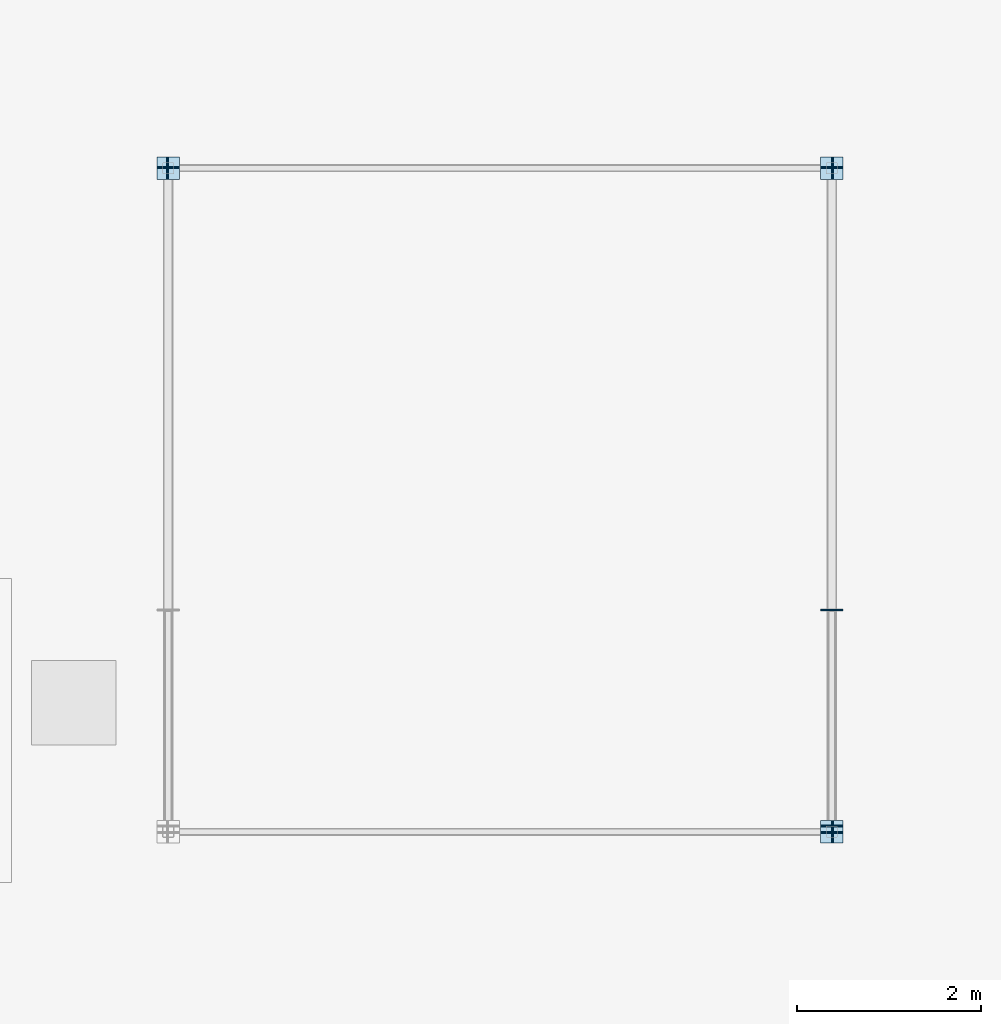
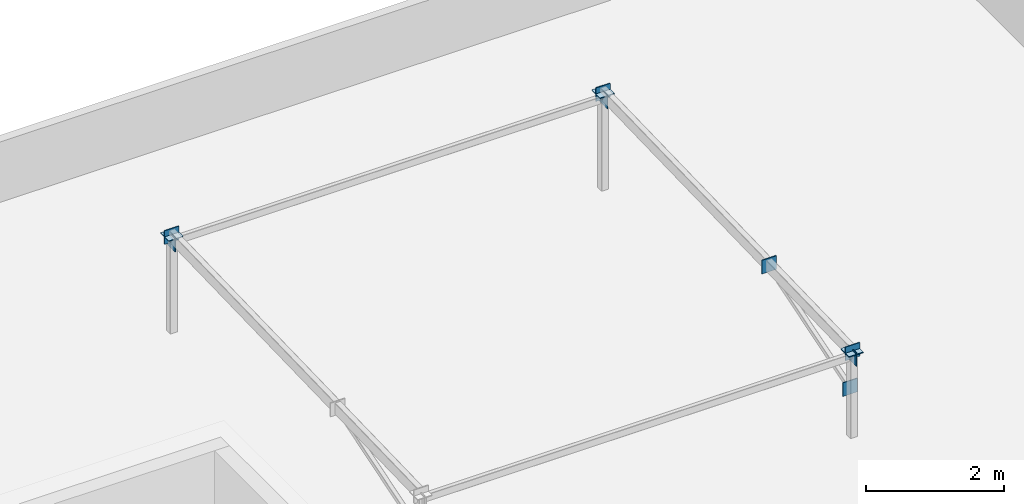
# One storey, part 14 of 31: 11 plates.
"""IFC4 building model written with IfcOpenShell, lengths in metres."""

from ifc_helpers import new_model, si_unit, direction, frame, origin, origin_2d, place, context, subcontext, project, spatial, rectangle, extrude, material, layer, layer_set, type_object, element, save


model = new_model("IFC4")

# Units and contexts
model_context = context("Model", 3, precision=1e-05, world=origin(), true_north=direction((0.0, 1.0)))
body_context = subcontext(model_context, "Body", "Model", "MODEL_VIEW")
ifc_project = project(units=[si_unit("LENGTHUNIT", "METRE"), si_unit("AREAUNIT", "SQUARE_METRE"), si_unit("VOLUMEUNIT", "CUBIC_METRE"), si_unit("PLANEANGLEUNIT", "RADIAN"), si_unit("MASSUNIT", "GRAM", prefix="KILO")], contexts=[model_context])

# Site, building, storey
site_placement = place(None, origin())
site = spatial("IfcSite", under=ifc_project, at=site_placement, CompositionType="ELEMENT")
building_placement = place(site_placement, origin())
building = spatial("IfcBuilding", under=site, at=building_placement, Name="Ochrevale Crest", CompositionType="ELEMENT")
storey_placement = place(building_placement, frame((0.0, 0.0, 37.050048828125)))
storey = spatial("IfcBuildingStorey", under=building, at=storey_placement, Name="L11", CompositionType="ELEMENT", Elevation=37.050048828125)

# Plates
ifc_material = material(Name="Steel S355", Category="steel")
ifc_layer = layer(ifc_material, 0.01611328125)
ifc_layer_set = layer_set([ifc_layer], Name="Steel S355")
plate_type = type_object("IfcPlateType", Name="PLT-CAP-16", PredefinedType="USERDEFINED", material=ifc_layer_set)
plate_1_placement = place(storey_placement, frame((21.60009765625, 86.39990234375, 1.719970703125), z_axis=(0.0, 0.0, 1.0), x_axis=(1.0, 0.0, 0.0)))
element("IfcPlate", 1, at=plate_1_placement, inside=storey, type_object=plate_type, Name="Block B solar-frame support post welded end cap plate CE", ObjectType="CAP PLATE", PredefinedType="USERDEFINED", context=body_context, shape_type="SweptSolid", body=[
    extrude(rectangle(XDim=0.239990234375, YDim=0.239990234375, at=origin_2d()), origin(), (0.0, 0.0, 1.0), 0.01611328125),
])
plate_2_placement = place(storey_placement, frame((21.60009765625, 86.407958984375, 1.60009765625), z_axis=(0.0, 0.0, 1.0), x_axis=(0.0, 1.0, 0.0)))
element("IfcPlate", 2, at=plate_2_placement, inside=storey, type_object=plate_type, Name="Block B solar-frame array rafter 3 welded end cap plate CE", ObjectType="CAP PLATE", PredefinedType="USERDEFINED", context=body_context, shape_type="SweptSolid", body=[
    extrude(rectangle(XDim=0.01611328125, YDim=0.239990234375, at=origin_2d()), origin(), (0.0, 0.0, 1.0), 0.239990234375),
])
for number, where, z_axis, x_axis, name in (
    (3, (28.800048828125, 79.199951171875, 1.519775390625), (0.0, 0.0, 1.0), (1.0, 0.0, 0.0), "Block B solar-frame support post welded end cap plate CE"),
    (4, (28.800048828125, 86.39990234375, 1.719970703125), (0.0, 0.0, 1.0), (1.0, 0.0, 0.0), "Block B solar-frame support post welded end cap plate CE"),
):
    element("IfcPlate", number, at=place(storey_placement, frame(where, z_axis=z_axis, x_axis=x_axis)), inside=storey, type_object=plate_type, Name=name, ObjectType="CAP PLATE", PredefinedType="USERDEFINED", context=body_context, shape_type="SweptSolid", body=[
        extrude(rectangle(XDim=0.239990234375, YDim=0.239990234375, at=origin_2d()), origin(), (0.0, 0.0, 1.0), 0.01611328125),
    ])
for number, where, z_axis, x_axis, name in (
    (5, (28.800048828125, 79.19189453125, 1.39990234375), (0.0, 0.0, 1.0), (0.0, 1.0, 0.0), "Block B solar-frame array rafter 4 welded end cap plate CS"),
    (6, (28.800048828125, 86.407958984375, 1.60009765625), (0.0, 0.0, 1.0), (0.0, 1.0, 0.0), "Block B solar-frame array rafter 4 welded end cap plate CE"),
    (7, (28.800048828125, 79.262451171875, 0.7275390625), (0.0, 0.0, 1.0), (0.0, 1.0, 0.0), "Block B solar-frame knee-brace strut 4 welded end cap plate CS"),
    (8, (28.800048828125, 81.607666015625, 1.46728515625), (0.0, 0.0, 1.0), (0.0, 1.0, 0.0), "Block B solar-frame knee-brace strut 4 welded end cap plate CE"),
    (9, (28.80810546875, 79.199951171875, 1.31982421875), (0.0, 0.0, 1.0), (1.0, 0.0, 0.0), "Block B solar-frame purlin E welded end cap plate CE"),
    (10, (21.592041015625, 86.39990234375, 1.5), (0.0, 0.0, 1.0), (1.0, 0.0, 0.0), "Block B solar-frame purlin E welded end cap plate CS"),
    (11, (28.80810546875, 86.39990234375, 1.5), (0.0, 0.0, 1.0), (1.0, 0.0, 0.0), "Block B solar-frame purlin E welded end cap plate CE"),
):
    element("IfcPlate", number, at=place(storey_placement, frame(where, z_axis=z_axis, x_axis=x_axis)), inside=storey, type_object=plate_type, Name=name, ObjectType="CAP PLATE", PredefinedType="USERDEFINED", context=body_context, shape_type="SweptSolid", body=[
        extrude(rectangle(XDim=0.01611328125, YDim=0.239990234375, at=origin_2d()), origin(), (0.0, 0.0, 1.0), 0.239990234375),
    ])

save(model, "model.ifc")
